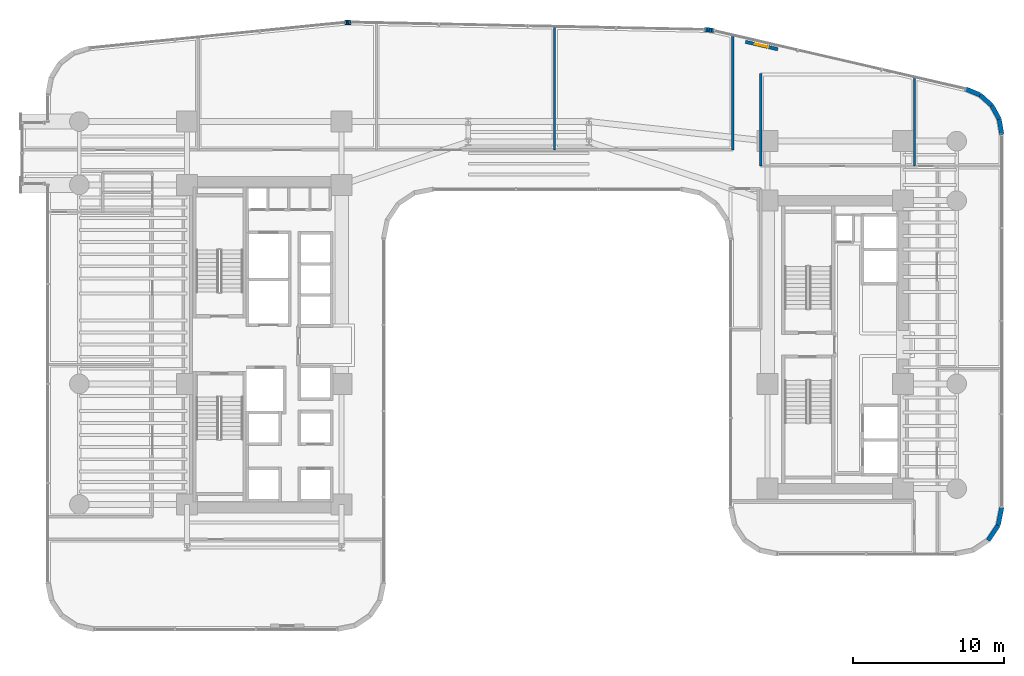
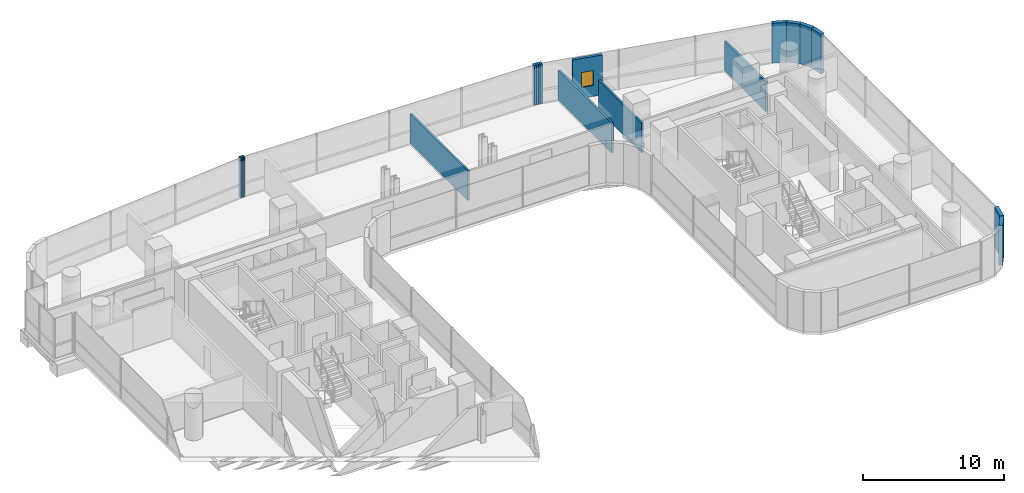
# One storey, part 35 of 40: 19 walls, 1 window, 1 opening.
"""IFC4 building model written with IfcOpenShell, lengths in metres."""

from ifc_helpers import new_model, si_unit, direction, frame, frame_2d, origin, place, context, subcontext, project, spatial, rectangle, extrude, material, layer, layer_set, type_object, element, fill, save


model = new_model("IFC4")

# Units and contexts
model_context = context("Model", 3, precision=1e-05, world=origin(), true_north=direction((0.0, 1.0)))
body_context = subcontext(model_context, "Body", "Model", "MODEL_VIEW")
ifc_project = project(units=[si_unit("LENGTHUNIT", "METRE"), si_unit("AREAUNIT", "SQUARE_METRE"), si_unit("VOLUMEUNIT", "CUBIC_METRE"), si_unit("PLANEANGLEUNIT", "RADIAN"), si_unit("MASSUNIT", "GRAM", prefix="KILO")], contexts=[model_context])

# Site, building, storey
site_placement = place(None, origin())
site = spatial("IfcSite", under=ifc_project, at=site_placement, CompositionType="ELEMENT")
building_placement = place(site_placement, origin())
building = spatial("IfcBuilding", under=site, at=building_placement, Name="Valdorenza Pilgrim Sanctuary Tower", CompositionType="ELEMENT")
storey_placement = place(building_placement, frame((0.0, 0.0, 48.199951171875)))
storey = spatial("IfcBuildingStorey", under=building, at=storey_placement, Name="L11", CompositionType="ELEMENT", Elevation=48.199951171875)

# Walls
ifc_material_1 = material(Name="Acoustic twin-stud gypsum partition", Category="gypsum")
ifc_layer_1 = layer(ifc_material_1, 0.159912109375, Name="Acoustic twin-stud gypsum partition")
ifc_layer_set_1 = layer_set([ifc_layer_1], Name="Acoustic twin-stud gypsum partition")
wall_type_1 = type_object("IfcWallType", Name="WAL-COR-160", PredefinedType="PARTITIONING", material=ifc_layer_set_1)
wall_1_placement = place(storey_placement, frame((13.550048828125, 12.919921875, 0.0), z_axis=(0.0, 0.0, 1.0), x_axis=(0.0, 1.0, 0.0)))
element("IfcWall", 1, at=wall_1_placement, inside=storey, type_object=wall_type_1, Name="L11 North Band East Closure", PredefinedType="PARTITIONING", context=body_context, shape_type="SweptSolid", body=[
    extrude(rectangle(XDim=7.609375, YDim=0.159912109375, at=frame_2d((3.8046875, 0.0))), origin(), (0.0, 0.0, 1.0), 2.5830078125),
])
wall_2_placement = place(storey_placement, frame((15.39990234375, 11.85009765625, 0.0), z_axis=(0.0, 0.0, 1.0), x_axis=(0.0, 1.0, 0.0)))
element("IfcWall", 2, at=wall_2_placement, inside=storey, type_object=wall_type_1, Name="L11 Wing B North West Wall", PredefinedType="PARTITIONING", context=body_context, shape_type="SweptSolid", body=[
    extrude(rectangle(XDim=6.14990234375, YDim=0.159912109375, at=frame_2d((3.074951171875, 0.0))), origin(), (0.0, 0.0, 1.0), 2.5830078125),
])
wall_3_placement = place(storey_placement, frame((25.60009765625, 11.85009765625, 0.0), z_axis=(0.0, 0.0, 1.0), x_axis=(0.0, 1.0, 0.0)))
element("IfcWall", 3, at=wall_3_placement, inside=storey, type_object=wall_type_1, Name="L11 Wing B North East Wall", PredefinedType="PARTITIONING", context=body_context, shape_type="SweptSolid", body=[
    extrude(rectangle(XDim=5.8984375, YDim=0.159912109375, at=frame_2d((2.94921875, 0.0))), origin(), (0.0, 0.0, 1.0), 2.5830078125),
])
ifc_material_2 = material(Name="Honed travertine limestone", Category="masonry")
ifc_layer_2 = layer(ifc_material_2, 0.300048828125, Name="Honed travertine limestone")
ifc_layer_set_2 = layer_set([ifc_layer_2], Name="Honed travertine limestone")
wall_type_2 = type_object("IfcWallType", Name="WAL-EXT-300", PredefinedType="SOLIDWALL", material=ifc_layer_set_2)
wall_4_placement = place(storey_placement, frame((-12.181884765625, 21.371337890625, 0.0), z_axis=(0.0, 0.0, 1.0), x_axis=(0.996527790842, 0.08326080759, 0.0)))
element("IfcWall", 4, at=wall_4_placement, inside=storey, type_object=wall_type_2, Name="L11 Rounded Wind-Corner Stone Pier 7", PredefinedType="SOLIDWALL", context=body_context, shape_type="SweptSolid", body=[
    extrude(rectangle(XDim=0.09375, YDim=0.300048828125, at=frame_2d((0.046875, 0.0))), origin(), (0.0, 0.0, 1.0), 3.4599609375),
])
wall_5_placement = place(storey_placement, frame((-12.08837890625, 21.379150390625, 0.0), z_axis=(0.0, 0.0, 1.0), x_axis=(0.998476480444, 0.055178963393, 0.0)))
element("IfcWall", 5, at=wall_5_placement, inside=storey, type_object=wall_type_2, Name="L11 Rounded Wind-Corner Stone Pier 8", PredefinedType="SOLIDWALL", context=body_context, shape_type="SweptSolid", body=[
    extrude(rectangle(XDim=0.093017578125, YDim=0.300048828125, at=frame_2d((0.04638671875, 0.0))), origin(), (0.0, 0.0, 1.0), 3.4599609375),
])
wall_6_placement = place(storey_placement, frame((-11.99560546875, 21.38427734375, 0.0), z_axis=(0.0, 0.0, 1.0), x_axis=(0.999722573757, 0.023553673204, 0.0)))
element("IfcWall", 6, at=wall_6_placement, inside=storey, type_object=wall_type_2, Name="L11 Rounded Wind-Corner Stone Pier 9", PredefinedType="SOLIDWALL", context=body_context, shape_type="SweptSolid", body=[
    extrude(rectangle(XDim=0.09326171875, YDim=0.300048828125, at=frame_2d((0.046630859375, 0.0))), origin(), (0.0, 0.0, 1.0), 3.4599609375),
])
wall_7_placement = place(storey_placement, frame((-11.90234375, 21.386474609375, 0.0), z_axis=(0.0, 0.0, 1.0), x_axis=(0.999986507273, -0.005194735103, 0.0)))
element("IfcWall", 7, at=wall_7_placement, inside=storey, type_object=wall_type_2, Name="L11 Rounded Wind-Corner Stone Pier 10", PredefinedType="SOLIDWALL", context=body_context, shape_type="SweptSolid", body=[
    extrude(rectangle(XDim=0.093994140625, YDim=0.300048828125, at=frame_2d((0.046875, 0.0))), origin(), (0.0, 0.0, 1.0), 3.4599609375),
])
wall_8_placement = place(storey_placement, frame((11.665771484375, 20.89697265625, 0.0), z_axis=(0.0, 0.0, 1.0), x_axis=(0.998885297239, -0.047203421059, 0.0)))
element("IfcWall", 8, at=wall_8_placement, inside=storey, type_object=wall_type_2, Name="L11 Rounded Wind-Corner Stone Pier 12", PredefinedType="SOLIDWALL", context=body_context, shape_type="SweptSolid", body=[
    extrude(rectangle(XDim=0.160400390625, YDim=0.300048828125, at=frame_2d((0.080078125, 0.0))), origin(), (0.0, 0.0, 1.0), 3.4599609375),
])
wall_9_placement = place(storey_placement, frame((11.825927734375, 20.889404296875, 0.0), z_axis=(0.0, 0.0, 1.0), x_axis=(0.995172891136, -0.098137234257, 0.0)))
element("IfcWall", 9, at=wall_9_placement, inside=storey, type_object=wall_type_2, Name="L11 Rounded Wind-Corner Stone Pier 13", PredefinedType="SOLIDWALL", context=body_context, shape_type="SweptSolid", body=[
    extrude(rectangle(XDim=0.1591796875, YDim=0.300048828125, at=frame_2d((0.07958984375, 0.0))), origin(), (0.0, 0.0, 1.0), 3.4599609375),
])
wall_10_placement = place(storey_placement, frame((11.984375, 20.873779296875, 0.0), z_axis=(0.0, 0.0, 1.0), x_axis=(0.988846069207, -0.148941100486, 0.0)))
element("IfcWall", 10, at=wall_10_placement, inside=storey, type_object=wall_type_2, Name="L11 Rounded Wind-Corner Stone Pier 14", PredefinedType="SOLIDWALL", context=body_context, shape_type="SweptSolid", body=[
    extrude(rectangle(XDim=0.158935546875, YDim=0.300048828125, at=frame_2d((0.07958984375, 0.0))), origin(), (0.0, 0.0, 1.0), 3.4599609375),
])
wall_11_placement = place(storey_placement, frame((12.1416015625, 20.85009765625, 0.0), z_axis=(0.0, 0.0, 1.0), x_axis=(0.979991950448, -0.19903712482, 0.0)))
element("IfcWall", 11, at=wall_11_placement, inside=storey, type_object=wall_type_2, Name="L11 Rounded Wind-Corner Stone Pier 15", PredefinedType="SOLIDWALL", context=body_context, shape_type="SweptSolid", body=[
    extrude(rectangle(XDim=0.16064453125, YDim=0.300048828125, at=frame_2d((0.080322265625, 0.0))), origin(), (0.0, 0.0, 1.0), 3.4599609375),
])

# Wall, opening, window
wall_12_placement = place(storey_placement, frame((14.388671875, 20.089599609375, 0.0), z_axis=(0.0, 0.0, 1.0), x_axis=(0.974400545997, -0.224818984875, 0.0)))
wall_12 = element("IfcWall", 12, at=wall_12_placement, inside=storey, type_object=wall_type_2, Name="L11 Operable Ventilation Sash Jamb Pier", PredefinedType="SOLIDWALL", context=body_context, shape_type="SweptSolid", body=[
    extrude(rectangle(XDim=2.2001953125, YDim=0.219970703125, at=frame_2d((1.10009765625, 0.0))), origin(), (0.0, 0.0, 1.0), 3.4599609375),
])
opening_placement = place(wall_12_placement, frame((0.64990234375, 0.0, 0.949951171875)))
opening = element("IfcOpeningElement", 13, at=opening_placement, cuts=wall_12, Name="Opening WN-OP1", PredefinedType="OPENING", context=body_context, shape_type="SweptSolid", body=[
    extrude(rectangle(XDim=0.89990234375, YDim=1.300048828125, at=frame_2d((0.449951171875, 0.64990234375))), frame((0.0, 0.125, 0.0), z_axis=(0.0, -1.0, 0.0), x_axis=(1.0, 0.0, 0.0)), (0.0, 0.0, 1.0), 0.249755859375),
])
ifc_material_3 = material(Name="Ceramic-fritted low-E IGU glazing", Category="glass")
window_type = type_object("IfcWindowType", Name="WIN-OPN-900", PartitioningType="SINGLE_PANEL", PredefinedType="WINDOW", material=ifc_material_3)
window_placement = place(opening_placement, origin())
window = element("IfcWindow", 14, at=window_placement, inside=storey, type_object=window_type, Name="L11 Parallel-Pop-Out Operable Facade Panel", OverallHeight=1.300048828125, OverallWidth=0.89990234375, PartitioningType="SINGLE_PANEL", PredefinedType="WINDOW", context=body_context, shape_type="SweptSolid", body=[
    extrude(rectangle(XDim=0.89990234375, YDim=1.300048828125, at=frame_2d((0.449951171875, 0.64990234375))), frame((0.0, 0.030029296875, 0.0), z_axis=(0.0, -1.0, 0.0), x_axis=(1.0, 0.0, 0.0)), (0.0, 0.0, 1.0), 0.06005859375),
])
fill(opening, window)

# Walls
wall_13_placement = place(storey_placement, frame((28.98583984375, 16.96728515625, 0.0), z_axis=(0.0, 0.0, 1.0), x_axis=(0.923083852684, -0.384598753136, 0.0)))
element("IfcWall", 15, at=wall_13_placement, inside=storey, type_object=wall_type_2, Name="L11 Rounded Wind-Corner Stone Pier 17", PredefinedType="SOLIDWALL", context=body_context, shape_type="SweptSolid", body=[
    extrude(rectangle(XDim=1.042236328125, YDim=0.300048828125, at=frame_2d((0.52099609375, 0.0))), origin(), (0.0, 0.0, 1.0), 3.4599609375),
])
wall_14_placement = place(storey_placement, frame((29.947998046875, 16.56640625, 0.0), z_axis=(0.0, 0.0, 1.0), x_axis=(0.744585645533, -0.66752694063, 0.0)))
element("IfcWall", 16, at=wall_14_placement, inside=storey, type_object=wall_type_2, Name="L11 Rounded Wind-Corner Stone Pier 18", PredefinedType="SOLIDWALL", context=body_context, shape_type="SweptSolid", body=[
    extrude(rectangle(XDim=1.032958984375, YDim=0.300048828125, at=frame_2d((0.5166015625, 0.0))), origin(), (0.0, 0.0, 1.0), 3.4599609375),
])
wall_15_placement = place(storey_placement, frame((30.717041015625, 15.876953125, 0.0), z_axis=(0.0, 0.0, 1.0), x_axis=(0.482971098131, -0.875636293429, 0.0)))
element("IfcWall", 17, at=wall_15_placement, inside=storey, type_object=wall_type_2, Name="L11 Rounded Wind-Corner Stone Pier 19", PredefinedType="SOLIDWALL", context=body_context, shape_type="SweptSolid", body=[
    extrude(rectangle(XDim=1.03271484375, YDim=0.300048828125, at=frame_2d((0.516357421875, 0.0))), origin(), (0.0, 0.0, 1.0), 3.4599609375),
])
wall_16_placement = place(storey_placement, frame((31.2158203125, 14.97265625, 0.0), z_axis=(0.0, 0.0, 1.0), x_axis=(0.167019462117, -0.985953598946, 0.0)))
element("IfcWall", 18, at=wall_16_placement, inside=storey, type_object=wall_type_2, Name="L11 Rounded Wind-Corner Stone Pier 20", PredefinedType="SOLIDWALL", context=body_context, shape_type="SweptSolid", body=[
    extrude(rectangle(XDim=1.042236328125, YDim=0.300048828125, at=frame_2d((0.52099609375, 0.0))), origin(), (0.0, 0.0, 1.0), 3.4599609375),
])
wall_17_placement = place(storey_placement, frame((31.389892578125, -10.789306640625, 0.0), z_axis=(0.0, 0.0, 1.0), x_axis=(-0.194996050505, -0.980804027463, 0.0)))
element("IfcWall", 19, at=wall_17_placement, inside=storey, type_object=wall_type_2, Name="L11 Rounded Wind-Corner Stone Pier 22", PredefinedType="SOLIDWALL", context=body_context, shape_type="SweptSolid", body=[
    extrude(rectangle(XDim=1.2158203125, YDim=0.300048828125, at=frame_2d((0.60791015625, 0.0))), origin(), (0.0, 0.0, 1.0), 3.4599609375),
])
wall_18_placement = place(storey_placement, frame((31.15283203125, -11.981689453125, 0.0), z_axis=(0.0, 0.0, 1.0), x_axis=(-0.555635100982, -0.831426265255, 0.0)))
element("IfcWall", 20, at=wall_18_placement, inside=storey, type_object=wall_type_2, Name="L11 Rounded Wind-Corner Stone Pier 23", PredefinedType="SOLIDWALL", context=body_context, shape_type="SweptSolid", body=[
    extrude(rectangle(XDim=1.204833984375, YDim=0.300048828125, at=frame_2d((0.6025390625, 0.0))), origin(), (0.0, 0.0, 1.0), 3.4599609375),
])
ifc_layer_3 = layer(ifc_material_1, 0.14990234375, Name="Acoustic twin-stud gypsum partition")
ifc_layer_set_3 = layer_set([ifc_layer_3], Name="Acoustic twin-stud gypsum partition")
wall_type_3 = type_object("IfcWallType", Name="WAL-UNT-150", PredefinedType="PARTITIONING", material=ifc_layer_set_3)
wall_19_placement = place(storey_placement, frame((1.7275390625, 12.919921875, 0.0), z_axis=(0.0, 0.0, 1.0), x_axis=(0.0, 1.0, 0.0)))
element("IfcWall", 21, at=wall_19_placement, inside=storey, type_object=wall_type_3, Name="L11 Sacred Art Exhibition Gallery L11-N4 Demising Wall", PredefinedType="PARTITIONING", context=body_context, shape_type="SweptSolid", body=[
    extrude(rectangle(XDim=8.18408203125, YDim=0.14990234375, at=frame_2d((4.092041015625, 0.0))), origin(), (0.0, 0.0, 1.0), 2.5830078125),
])

save(model, "model.ifc")
